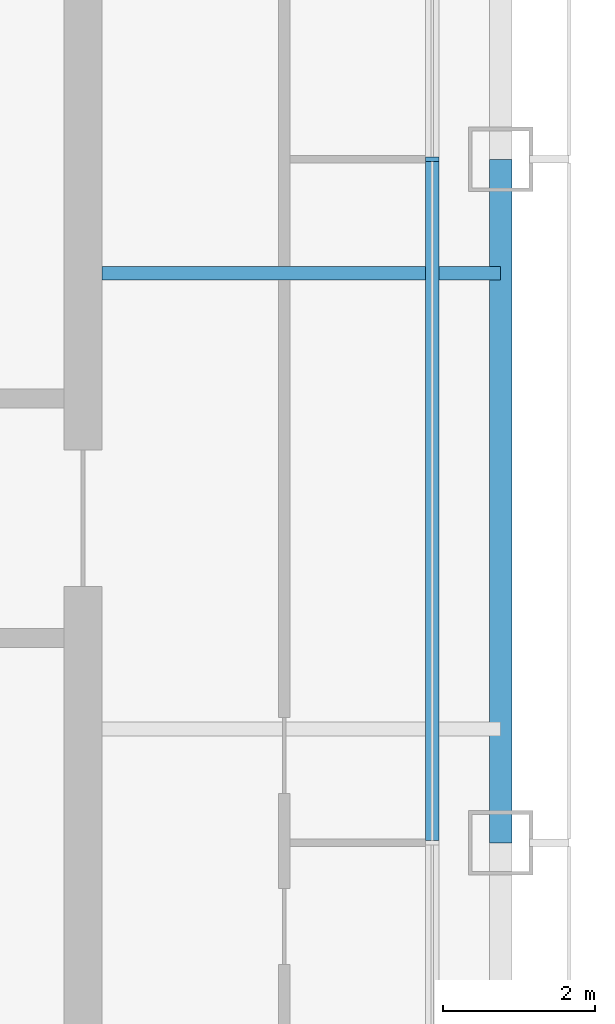
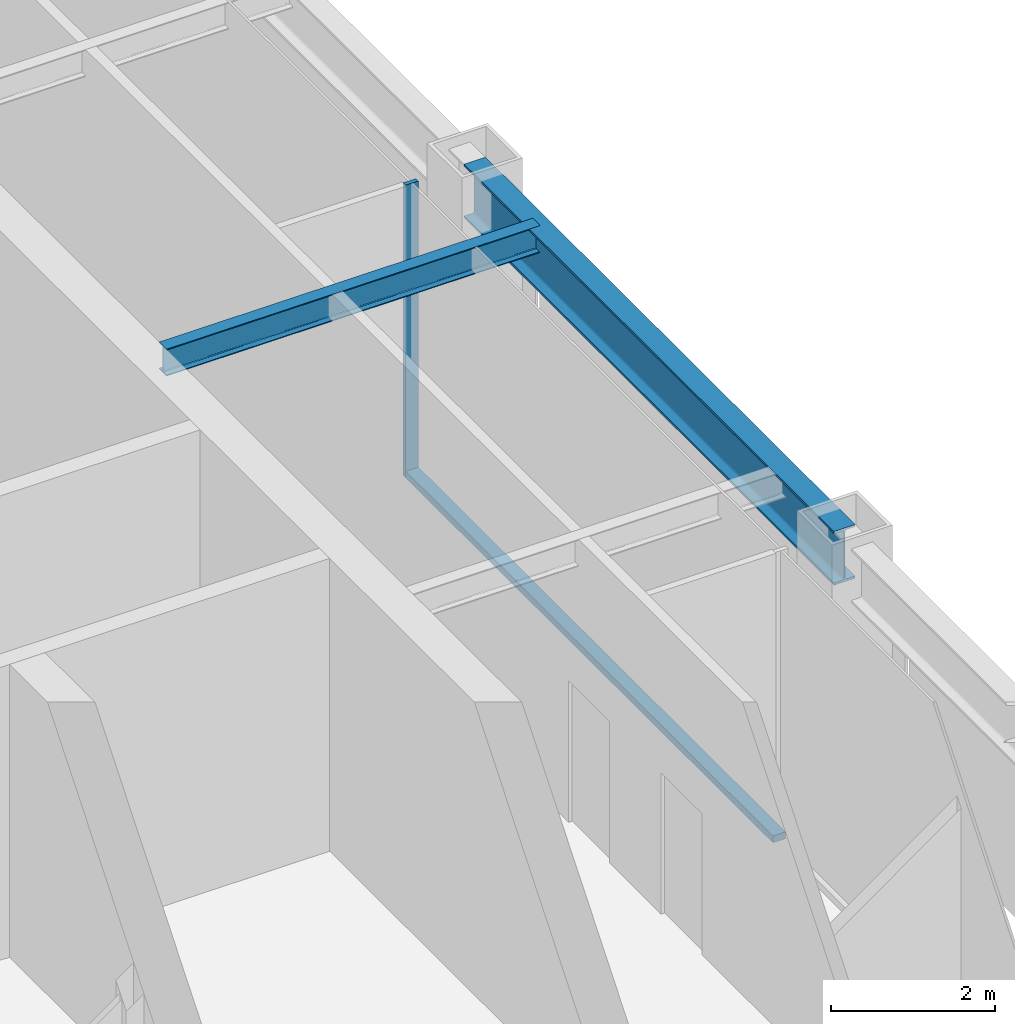
# One storey, part 5 of 23: 2 beams, 2 members, 1 element without a shape of its own.
"""IFC4 building model written with IfcOpenShell, lengths in metres."""

from ifc_helpers import new_model, si_unit, direction, frame, origin, origin_2d, place, context, subcontext, project, spatial, rectangle, i_section, extrude, material, layer, layer_set, material_profile, profile_set, type_object, element, aggregate, save


model = new_model("IFC4")

# Units and contexts
model_context = context("Model", 3, precision=1e-05, world=origin(), true_north=direction((0.0, 1.0)))
body_context = subcontext(model_context, "Body", "Model", "MODEL_VIEW")
ifc_project = project(units=[si_unit("LENGTHUNIT", "METRE"), si_unit("AREAUNIT", "SQUARE_METRE"), si_unit("VOLUMEUNIT", "CUBIC_METRE"), si_unit("PLANEANGLEUNIT", "RADIAN"), si_unit("MASSUNIT", "GRAM", prefix="KILO")], contexts=[model_context])

# Site, building, storey
site_placement = place(None, origin())
site = spatial("IfcSite", under=ifc_project, at=site_placement, CompositionType="ELEMENT")
building_placement = place(site_placement, origin())
building = spatial("IfcBuilding", under=site, at=building_placement, Name="Siwar Civic Tower", CompositionType="ELEMENT")
storey_placement = place(building_placement, frame((0.0, 0.0, 206.199951171875)))
storey = spatial("IfcBuildingStorey", under=building, at=storey_placement, Name="L44", CompositionType="ELEMENT", Elevation=206.199951171875)

# Curtain wall, members
ifc_material_1 = material(Name="Aluminium and glass", Category="aluminium")
ifc_layer = layer(ifc_material_1, 0.179931640625)
ifc_layer_set = layer_set([ifc_layer], Name="Aluminium and glass")
curtain_wall_type = type_object("IfcCurtainWallType", Name="ENV-CW-C", PredefinedType="NOTDEFINED", material=ifc_layer_set)
curtain_wall_placement = place(storey_placement, origin())
curtain_wall = element("IfcCurtainWall", 1, at=curtain_wall_placement, inside=storey, type_object=curtain_wall_type, Name="Curtain wall C E", PredefinedType="NOTDEFINED")
ifc_material_2 = material(Name="Aluminium 6063-T6", Category="aluminium")
ifc_material_profile_1 = material_profile(ifc_material_2, rectangle(XDim=0.179931640625, YDim=0.06005859375, at=origin_2d()), Name="AL 180x60")
ifc_profile_set_1 = profile_set([ifc_material_profile_1], Name="Aluminium 6063-T6")
member_type_1 = type_object("IfcMemberType", Name="ENV-MULLION-C", PredefinedType="MULLION", material=ifc_profile_set_1)
member_1_placement = place(storey_placement, frame((26.10009765625, 0.0, 0.0), z_axis=(0.0, 0.0, 1.0), x_axis=(-1.0, 0.0, 0.0)))
member_1 = element("IfcMember", 2, at=member_1_placement, type_object=member_type_1, Name="Mullion C E 3", PredefinedType="MULLION", context=body_context, shape_type="SweptSolid", body=[
    extrude(rectangle(XDim=0.179931640625, YDim=0.06005859375, at=origin_2d()), origin(), (0.0, 0.0, 1.0), 4.35009765625),
])
ifc_material_3 = material(Name="Aluminium 6063-T6", Category="aluminium")
ifc_material_profile_2 = material_profile(ifc_material_3, rectangle(XDim=0.179931640625, YDim=0.10009765625, at=origin_2d()), Name="AL 180x100")
ifc_profile_set_2 = profile_set([ifc_material_profile_2], Name="Aluminium 6063-T6")
member_type_2 = type_object("IfcMemberType", Name="ENV-TRANSOM-C", PredefinedType="USERDEFINED", material=ifc_profile_set_2)
member_2_placement = place(storey_placement, frame((26.10009765625, -8.969970703125, 0.050048828125), z_axis=(0.0, 1.0, 0.0), x_axis=(-1.0, 0.0, 0.0)))
member_2 = element("IfcMember", 3, at=member_2_placement, type_object=member_type_2, Name="Transom C E 2", ObjectType="TRANSOM", PredefinedType="USERDEFINED", context=body_context, shape_type="SweptSolid", body=[
    extrude(rectangle(XDim=0.179931640625, YDim=0.10009765625, at=origin_2d()), origin(), (0.0, 0.0, 1.0), 8.93994140625),
])
aggregate(curtain_wall, [member_1, member_2])

# Beams
ifc_material_4 = material(Name="Steel S355", Category="steel")
ifc_material_profile_3 = material_profile(ifc_material_4, i_section(OverallWidth=0.179931640625, OverallDepth=0.39990234375, WebThickness=0.008544921875, FlangeThickness=0.013427734375, FilletRadius=0.02099609375, at=origin_2d()), Name="IPE400")
ifc_profile_set_3 = profile_set([ifc_material_profile_3], Name="Steel S355")
beam_type_1 = type_object("IfcBeamType", Name="STR-FB-IPE400", PredefinedType="JOIST", material=ifc_profile_set_3)
beam_1_placement = place(storey_placement, frame((21.75, -1.5, 4.150146484375), z_axis=(1.0, 0.0, 0.0), x_axis=(0.0, 1.0, 0.0)))
element("IfcBeam", 4, at=beam_1_placement, inside=storey, type_object=beam_type_1, Name="L44/bm/F024", PredefinedType="JOIST", context=body_context, shape_type="SweptSolid", body=[
    extrude(i_section(OverallWidth=0.179931640625, OverallDepth=0.39990234375, WebThickness=0.008544921875, FlangeThickness=0.013427734375, FilletRadius=0.02099609375, at=origin_2d()), origin(), (0.0, 0.0, 1.0), 5.25),
])
ifc_material_5 = material(Name="Steel S355", Category="steel")
ifc_material_profile_4 = material_profile(ifc_material_5, i_section(OverallWidth=0.300048828125, OverallDepth=0.800048828125, WebThickness=0.017578125, FlangeThickness=0.032958984375, FilletRadius=0.030029296875, at=origin_2d()), Name="HEB800")
ifc_profile_set_4 = profile_set([ifc_material_profile_4], Name="Steel S355")
beam_type_2 = type_object("IfcBeamType", Name="STR-SB-HEB800", PredefinedType="BEAM", material=ifc_profile_set_4)
beam_2_placement = place(storey_placement, frame((27.0, -9.0, 3.949951171875), z_axis=(0.0, 1.0, 0.0), x_axis=(-1.0, 0.0, 0.0)))
element("IfcBeam", 5, at=beam_2_placement, inside=storey, type_object=beam_type_2, Name="L44/bm/SE-1", PredefinedType="BEAM", context=body_context, shape_type="SweptSolid", body=[
    extrude(i_section(OverallWidth=0.300048828125, OverallDepth=0.800048828125, WebThickness=0.017578125, FlangeThickness=0.032958984375, FilletRadius=0.030029296875, at=origin_2d()), origin(), (0.0, 0.0, 1.0), 9.0),
])

save(model, "model.ifc")
